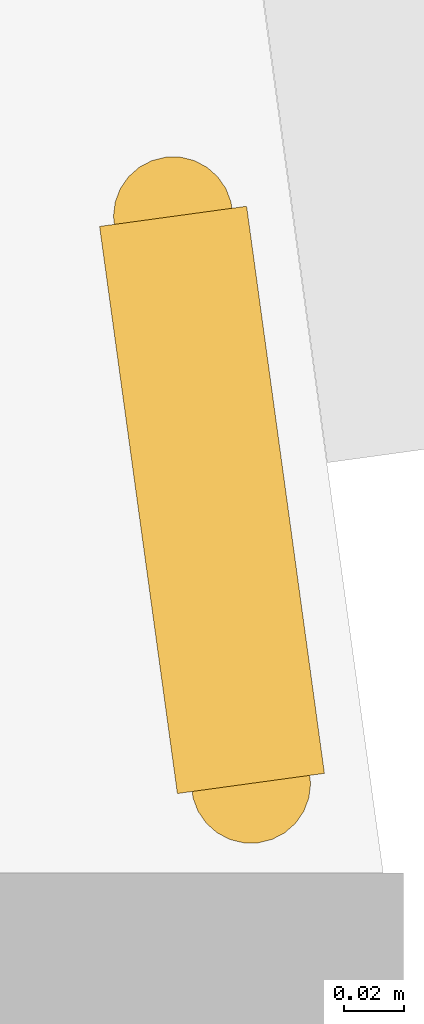
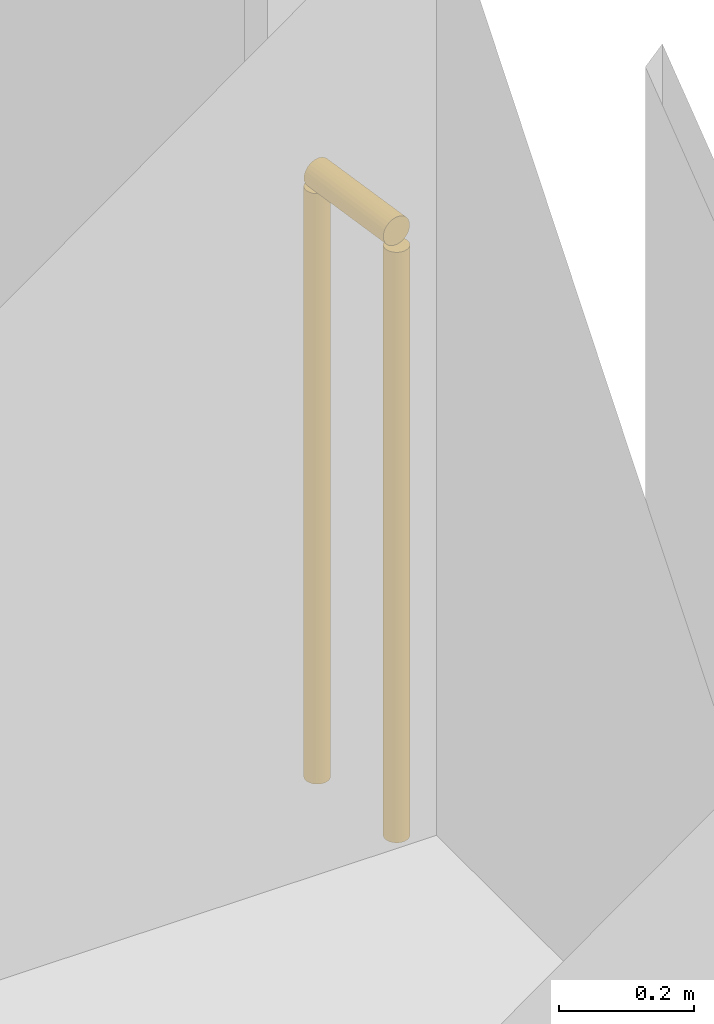
# One storey, part 27 of 27: 1 railing.
"""IFC4 building model written with IfcOpenShell, lengths in metres."""

from ifc_helpers import new_model, si_unit, direction, frame, origin, origin_2d, place, context, subcontext, project, spatial, circle, extrude, material, type_object, element, save


model = new_model("IFC4")

# Units and contexts
model_context = context("Model", 3, precision=1e-05, world=origin(), true_north=direction((0.0, 1.0)))
body_context = subcontext(model_context, "Body", "Model", "MODEL_VIEW")
ifc_project = project(units=[si_unit("LENGTHUNIT", "METRE"), si_unit("AREAUNIT", "SQUARE_METRE"), si_unit("VOLUMEUNIT", "CUBIC_METRE"), si_unit("PLANEANGLEUNIT", "RADIAN"), si_unit("MASSUNIT", "GRAM", prefix="KILO")], contexts=[model_context])

# Site, building, storey
site_placement = place(None, origin())
site = spatial("IfcSite", under=ifc_project, at=site_placement, CompositionType="ELEMENT")
building_placement = place(site_placement, origin())
building = spatial("IfcBuilding", under=site, at=building_placement, Name="Orlundy Tower", CompositionType="ELEMENT")
storey_placement = place(building_placement, frame((0.0, 0.0, 199.10009765625)))
storey = spatial("IfcBuildingStorey", under=building, at=storey_placement, Name="L52", CompositionType="ELEMENT", Elevation=199.10009765625)

# Railing
ifc_material = material(Name="Stainless steel bronze finish", Category="steel")
railing_type = type_object("IfcRailingType", Name="TG1 terrace guard", PredefinedType="GUARDRAIL", material=ifc_material)
railing_placement = place(storey_placement, frame((38.6787109375, 15.718505859375, 0.0)))
element("IfcRailing", 1, at=railing_placement, inside=storey, type_object=railing_type, Name="Guard TG-L52-E02", PredefinedType="GUARDRAIL", context=body_context, shape_type="SweptSolid", body=[
    extrude(circle(Radius=0.02490234375, at=origin_2d()), frame((0.0, 0.0, 1.09521484375), z_axis=(0.135906686825, -0.990721642277, 0.0), x_axis=(0.990721642277, 0.135906686825, 0.0)), (0.0, 0.0, 1.0), 0.192138671875),
    extrude(circle(Radius=0.02001953125, at=origin_2d()), origin(), (0.0, 0.0, 1.0), 1.070068359375),
    extrude(circle(Radius=0.02001953125, at=origin_2d()), frame((0.026123046875, -0.1904296875, 0.0)), (0.0, 0.0, 1.0), 1.070068359375),
])

save(model, "model.ifc")
